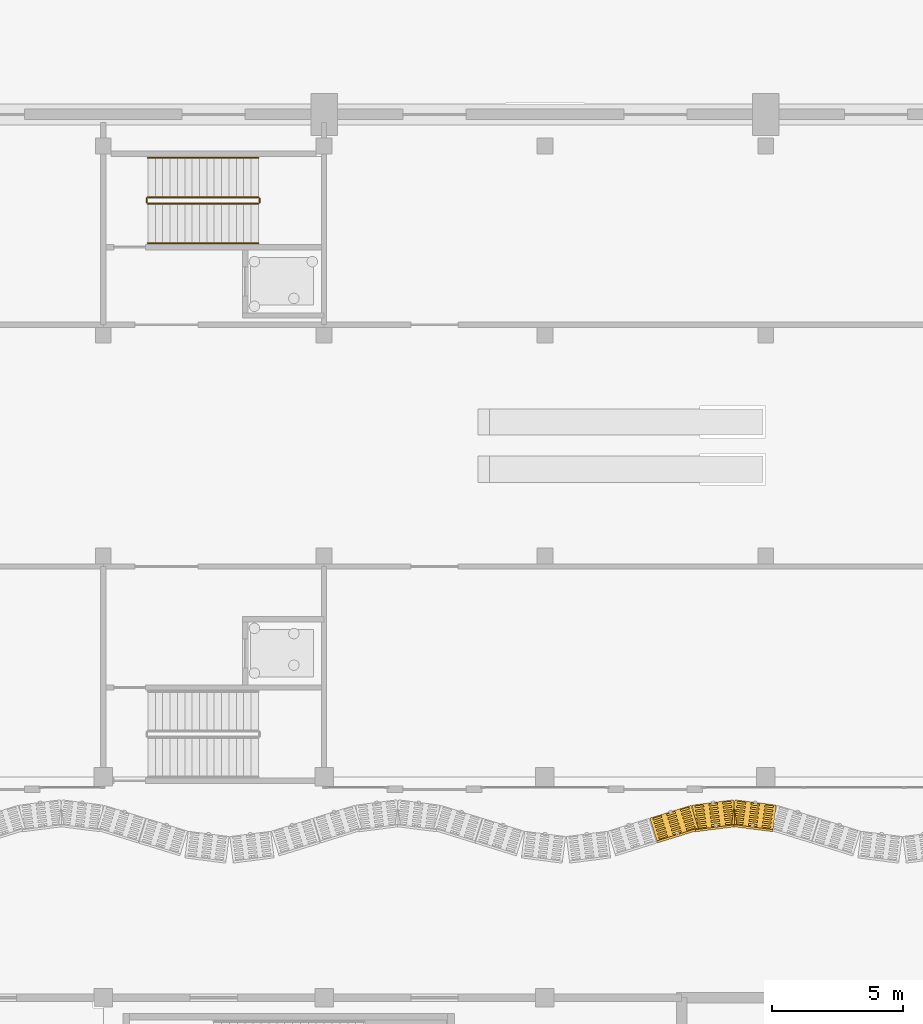
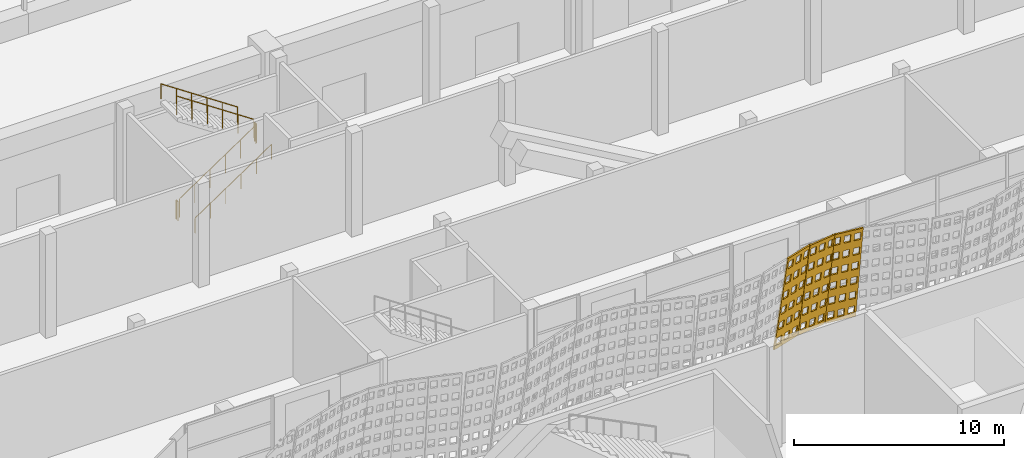
# One storey, part 191 of 210: 6 railings, 3 coverings.
"""IFC4 building model written with IfcOpenShell, lengths in metres."""

from ifc_helpers import new_model, si_unit, direction, frame, origin, origin_2d, place, context, subcontext, project, spatial, polyline, circle, outline, extrude, material, layer, layer_set, type_object, element, save


model = new_model("IFC4")

# Units and contexts
model_context = context("Model", 3, precision=1e-05, world=origin(), true_north=direction((0.0, 1.0)))
body_context = subcontext(model_context, "Body", "Model", "MODEL_VIEW")
ifc_project = project(units=[si_unit("LENGTHUNIT", "METRE"), si_unit("AREAUNIT", "SQUARE_METRE"), si_unit("VOLUMEUNIT", "CUBIC_METRE"), si_unit("PLANEANGLEUNIT", "RADIAN"), si_unit("MASSUNIT", "GRAM", prefix="KILO")], contexts=[model_context])

# Site, building, storey
site_placement = place(None, origin())
site = spatial("IfcSite", under=ifc_project, at=site_placement, CompositionType="ELEMENT")
building_placement = place(site_placement, origin())
building = spatial("IfcBuilding", under=site, at=building_placement, Name="Rain Tree Exposition and Congress Centre", CompositionType="ELEMENT")
storey_placement = place(building_placement, origin())
storey = spatial("IfcBuildingStorey", under=building, at=storey_placement, Name="L00", CompositionType="ELEMENT", Elevation=0.0)

# Railings
ifc_material_1 = material(Name="Aluminium and glass balustrade", Category="aluminium")
railing_type_1 = type_object("IfcRailingType", Name="Concourse guard 1100", PredefinedType="GUARDRAIL", material=ifc_material_1)
railing_1_placement = place(storey_placement, frame((169.699951171875, 97.39990234375, 0.1875)))
element("IfcRailing", 1, at=railing_1_placement, inside=storey, type_object=railing_type_1, Name="L00 ST-C11 stair guard 1", PredefinedType="GUARDRAIL", context=body_context, shape_type="SweptSolid", body=[
    extrude(circle(Radius=0.02392578125, at=origin_2d()), frame((0.0, 0.0, 1.076171875), z_axis=(0.830904186295, 0.0, 0.556415522067), x_axis=(0.0, 1.0, 0.0)), (0.0, 0.0, 1.0), 5.0546875),
    extrude(circle(Radius=0.02099609375, at=origin_2d()), origin(), (0.0, 0.0, 1.0), 1.052001953125),
    extrude(circle(Radius=0.02099609375, at=origin_2d()), frame((0.840087890625, 0.0, 0.5625)), (0.0, 0.0, 1.0), 1.052001953125),
    extrude(circle(Radius=0.02099609375, at=origin_2d()), frame((1.679931640625, 0.0, 1.125)), (0.0, 0.0, 1.0), 1.052001953125),
    extrude(circle(Radius=0.02099609375, at=origin_2d()), frame((2.52001953125, 0.0, 1.6875)), (0.0, 0.0, 1.0), 1.052001953125),
    extrude(circle(Radius=0.02099609375, at=origin_2d()), frame((3.35986328125, 0.0, 2.25)), (0.0, 0.0, 1.0), 1.052001953125),
    extrude(circle(Radius=0.02099609375, at=origin_2d()), frame((4.199951171875, 0.0, 2.8125)), (0.0, 0.0, 1.0), 1.052001953125),
])
railing_2_placement = place(storey_placement, frame((173.949951171875, 97.449951171875, 3.0)))
element("IfcRailing", 2, at=railing_2_placement, inside=storey, type_object=railing_type_1, Name="L00 ST-C11 stair guard 2", PredefinedType="GUARDRAIL", context=body_context, shape_type="SweptSolid", body=[
    extrude(circle(Radius=0.02392578125, at=origin_2d()), frame((0.0, 0.0, 1.076171875), z_axis=(0.0, 1.0, 0.0), x_axis=(-1.0, 0.0, 0.0)), (0.0, 0.0, 1.0), 0.150146484375),
    extrude(circle(Radius=0.02099609375, at=origin_2d()), origin(), (0.0, 0.0, 1.0), 1.052001953125),
    extrude(circle(Radius=0.02099609375, at=origin_2d()), frame((0.0, 0.150146484375, 0.0)), (0.0, 0.0, 1.0), 1.052001953125),
])
railing_3_placement = place(storey_placement, frame((173.89990234375, 97.64990234375, 3.1875)))
element("IfcRailing", 3, at=railing_3_placement, inside=storey, type_object=railing_type_1, Name="L00 ST-C11 stair guard 3", PredefinedType="GUARDRAIL", context=body_context, shape_type="SweptSolid", body=[
    extrude(circle(Radius=0.02392578125, at=origin_2d()), frame((0.0, 0.0, 1.076171875), z_axis=(-0.830904186295, 0.0, 0.556415522067), x_axis=(0.0, -1.0, 0.0)), (0.0, 0.0, 1.0), 5.0546875),
    extrude(circle(Radius=0.02099609375, at=origin_2d()), origin(), (0.0, 0.0, 1.0), 1.052001953125),
    extrude(circle(Radius=0.02099609375, at=origin_2d()), frame((-0.840087890625, 0.0, 0.5625)), (0.0, 0.0, 1.0), 1.052001953125),
    extrude(circle(Radius=0.02099609375, at=origin_2d()), frame((-1.679931640625, 0.0, 1.125)), (0.0, 0.0, 1.0), 1.052001953125),
    extrude(circle(Radius=0.02099609375, at=origin_2d()), frame((-2.52001953125, 0.0, 1.6875)), (0.0, 0.0, 1.0), 1.052001953125),
    extrude(circle(Radius=0.02099609375, at=origin_2d()), frame((-3.35986328125, 0.0, 2.25)), (0.0, 0.0, 1.0), 1.052001953125),
    extrude(circle(Radius=0.02099609375, at=origin_2d()), frame((-4.199951171875, 0.0, 2.8125)), (0.0, 0.0, 1.0), 1.052001953125),
])
railing_4_placement = place(storey_placement, frame((169.64990234375, 97.449951171875, 0.0)))
element("IfcRailing", 4, at=railing_4_placement, inside=storey, type_object=railing_type_1, Name="L00 ST-C11 stair guard 4", PredefinedType="GUARDRAIL", context=body_context, shape_type="SweptSolid", body=[
    extrude(circle(Radius=0.02392578125, at=origin_2d()), frame((0.0, 0.0, 1.076171875), z_axis=(0.0, 1.0, 0.0), x_axis=(-1.0, 0.0, 0.0)), (0.0, 0.0, 1.0), 0.150146484375),
    extrude(circle(Radius=0.02099609375, at=origin_2d()), origin(), (0.0, 0.0, 1.0), 1.052001953125),
    extrude(circle(Radius=0.02099609375, at=origin_2d()), frame((0.0, 0.150146484375, 0.0)), (0.0, 0.0, 1.0), 1.052001953125),
])
ifc_material_2 = material(Name="Aluminium handrail", Category="aluminium")
railing_type_2 = type_object("IfcRailingType", Name="Concourse handrail 900", PredefinedType="HANDRAIL", material=ifc_material_2)
railing_5_placement = place(storey_placement, frame((169.699951171875, 95.89990234375, 0.1875)))
element("IfcRailing", 5, at=railing_5_placement, inside=storey, type_object=railing_type_2, Name="L00 ST-C11 stair handrail 1", PredefinedType="HANDRAIL", context=body_context, shape_type="SweptSolid", body=[
    extrude(circle(Radius=0.02392578125, at=origin_2d()), frame((0.0, 0.0, 0.8759765625), z_axis=(0.830904186295, 0.0, 0.556415522067), x_axis=(0.0, 1.0, 0.0)), (0.0, 0.0, 1.0), 5.0546875),
    extrude(circle(Radius=0.02099609375, at=origin_2d()), origin(), (0.0, 0.0, 1.0), 0.851806640625),
    extrude(circle(Radius=0.02099609375, at=origin_2d()), frame((0.840087890625, 0.0, 0.5625)), (0.0, 0.0, 1.0), 0.851806640625),
    extrude(circle(Radius=0.02099609375, at=origin_2d()), frame((1.679931640625, 0.0, 1.125)), (0.0, 0.0, 1.0), 0.851806640625),
    extrude(circle(Radius=0.02099609375, at=origin_2d()), frame((2.52001953125, 0.0, 1.6875)), (0.0, 0.0, 1.0), 0.851806640625),
    extrude(circle(Radius=0.02099609375, at=origin_2d()), frame((3.35986328125, 0.0, 2.25)), (0.0, 0.0, 1.0), 0.851806640625),
    extrude(circle(Radius=0.02099609375, at=origin_2d()), frame((4.199951171875, 0.0, 2.8125)), (0.0, 0.0, 1.0), 0.851806640625),
])
railing_6_placement = place(storey_placement, frame((173.89990234375, 99.14990234375, 3.1875)))
element("IfcRailing", 6, at=railing_6_placement, inside=storey, type_object=railing_type_2, Name="L00 ST-C11 stair handrail 2", PredefinedType="HANDRAIL", context=body_context, shape_type="SweptSolid", body=[
    extrude(circle(Radius=0.02392578125, at=origin_2d()), frame((0.0, 0.0, 0.8759765625), z_axis=(-0.830904186295, 0.0, 0.556415522067), x_axis=(0.0, -1.0, 0.0)), (0.0, 0.0, 1.0), 5.0546875),
    extrude(circle(Radius=0.02099609375, at=origin_2d()), origin(), (0.0, 0.0, 1.0), 0.851806640625),
    extrude(circle(Radius=0.02099609375, at=origin_2d()), frame((-0.840087890625, 0.0, 0.5625)), (0.0, 0.0, 1.0), 0.851806640625),
    extrude(circle(Radius=0.02099609375, at=origin_2d()), frame((-1.679931640625, 0.0, 1.125)), (0.0, 0.0, 1.0), 0.851806640625),
    extrude(circle(Radius=0.02099609375, at=origin_2d()), frame((-2.52001953125, 0.0, 1.6875)), (0.0, 0.0, 1.0), 0.851806640625),
    extrude(circle(Radius=0.02099609375, at=origin_2d()), frame((-3.35986328125, 0.0, 2.25)), (0.0, 0.0, 1.0), 0.851806640625),
    extrude(circle(Radius=0.02099609375, at=origin_2d()), frame((-4.199951171875, 0.0, 2.8125)), (0.0, 0.0, 1.0), 0.851806640625),
])

# Coverings
ifc_material_3 = material(Name="Perforated terracotta", Category="masonry")
ifc_layer = layer(ifc_material_3, 0.080078125)
ifc_layer_set = layer_set([ifc_layer], Name="Perforated terracotta")
covering_type = type_object("IfcCoveringType", Name="Terracotta screen 80", PredefinedType="CLADDING", material=ifc_layer_set)
covering_1_placement = place(storey_placement, frame((188.800048828125, 73.949951171875, 0.0), z_axis=(-0.293072736571, 0.943327870838, 0.155694891303), x_axis=(-0.954973588716, -0.296690823679, 0.0)))
element("IfcCovering", 7, at=covering_1_placement, inside=storey, type_object=covering_type, Name="concourse/screen/L00/119", PredefinedType="CLADDING", context=body_context, shape_type="SweptSolid", body=[
    extrude(outline(polyline([(-0.014892578125, 0.0), (-1.659912109375, 0.0), (-1.659912109375, 5.80859375), (-0.014892578125, 5.80859375), (-0.014892578125, 0.0)]), holes=[polyline([(-0.119140625, 0.249755859375), (-0.119140625, 0.71826171875), (-0.458984375, 0.71826171875), (-0.458984375, 0.249755859375), (-0.119140625, 0.249755859375)]), polyline([(-0.119140625, 1.218017578125), (-0.119140625, 1.686279296875), (-0.458984375, 1.686279296875), (-0.458984375, 1.218017578125), (-0.119140625, 1.218017578125)]), polyline([(-0.119140625, 2.18603515625), (-0.119140625, 2.654541015625), (-0.458984375, 2.654541015625), (-0.458984375, 2.18603515625), (-0.119140625, 2.18603515625)]), polyline([(-0.119140625, 3.154052734375), (-0.119140625, 3.62255859375), (-0.458984375, 3.62255859375), (-0.458984375, 3.154052734375), (-0.119140625, 3.154052734375)]), polyline([(-0.119140625, 4.122314453125), (-0.119140625, 4.5908203125), (-0.458984375, 4.5908203125), (-0.458984375, 4.122314453125), (-0.119140625, 4.122314453125)]), polyline([(-0.119140625, 5.09033203125), (-0.119140625, 5.558837890625), (-0.458984375, 5.558837890625), (-0.458984375, 5.09033203125), (-0.119140625, 5.09033203125)]), polyline([(-0.66748046875, 0.249755859375), (-0.66748046875, 0.71826171875), (-1.00732421875, 0.71826171875), (-1.00732421875, 0.249755859375), (-0.66748046875, 0.249755859375)]), polyline([(-0.66748046875, 1.218017578125), (-0.66748046875, 1.686279296875), (-1.00732421875, 1.686279296875), (-1.00732421875, 1.218017578125), (-0.66748046875, 1.218017578125)]), polyline([(-0.66748046875, 2.18603515625), (-0.66748046875, 2.654541015625), (-1.00732421875, 2.654541015625), (-1.00732421875, 2.18603515625), (-0.66748046875, 2.18603515625)]), polyline([(-0.66748046875, 3.154052734375), (-0.66748046875, 3.62255859375), (-1.00732421875, 3.62255859375), (-1.00732421875, 3.154052734375), (-0.66748046875, 3.154052734375)]), polyline([(-0.66748046875, 4.122314453125), (-0.66748046875, 4.5908203125), (-1.00732421875, 4.5908203125), (-1.00732421875, 4.122314453125), (-0.66748046875, 4.122314453125)]), polyline([(-0.66748046875, 5.09033203125), (-0.66748046875, 5.558837890625), (-1.00732421875, 5.558837890625), (-1.00732421875, 5.09033203125), (-0.66748046875, 5.09033203125)]), polyline([(-1.2158203125, 0.249755859375), (-1.2158203125, 0.71826171875), (-1.5556640625, 0.71826171875), (-1.5556640625, 0.249755859375), (-1.2158203125, 0.249755859375)]), polyline([(-1.2158203125, 1.218017578125), (-1.2158203125, 1.686279296875), (-1.5556640625, 1.686279296875), (-1.5556640625, 1.218017578125), (-1.2158203125, 1.218017578125)]), polyline([(-1.2158203125, 2.18603515625), (-1.2158203125, 2.654541015625), (-1.5556640625, 2.654541015625), (-1.5556640625, 2.18603515625), (-1.2158203125, 2.18603515625)]), polyline([(-1.2158203125, 3.154052734375), (-1.2158203125, 3.62255859375), (-1.5556640625, 3.62255859375), (-1.5556640625, 3.154052734375), (-1.2158203125, 3.154052734375)]), polyline([(-1.2158203125, 4.122314453125), (-1.2158203125, 4.5908203125), (-1.5556640625, 4.5908203125), (-1.5556640625, 4.122314453125), (-1.2158203125, 4.122314453125)]), polyline([(-1.2158203125, 5.09033203125), (-1.2158203125, 5.558837890625), (-1.5556640625, 5.558837890625), (-1.5556640625, 5.09033203125), (-1.2158203125, 5.09033203125)])]), origin(), (0.0, 0.0, 1.0), 0.080078125),
])
covering_2_placement = place(storey_placement, frame((190.39990234375, 74.445068359375, 0.0), z_axis=(-0.125405134464, 0.978771781185, 0.162109076259), x_axis=(-0.991891686382, -0.127086122318, 0.0)))
element("IfcCovering", 8, at=covering_2_placement, inside=storey, type_object=covering_type, Name="concourse/screen/L00/120", PredefinedType="CLADDING", context=body_context, shape_type="SweptSolid", body=[
    extrude(outline(polyline([(-0.014892578125, 0.0), (-1.59814453125, 0.0), (-1.59814453125, 5.813720703125), (-0.014892578125, 5.813720703125), (-0.014892578125, 0.0)]), holes=[polyline([(-0.115234375, 0.25), (-0.115234375, 0.718994140625), (-0.4423828125, 0.718994140625), (-0.4423828125, 0.25), (-0.115234375, 0.25)]), polyline([(-0.115234375, 1.218994140625), (-0.115234375, 1.687744140625), (-0.4423828125, 1.687744140625), (-0.4423828125, 1.218994140625), (-0.115234375, 1.218994140625)]), polyline([(-0.115234375, 2.18798828125), (-0.115234375, 2.65673828125), (-0.4423828125, 2.65673828125), (-0.4423828125, 2.18798828125), (-0.115234375, 2.18798828125)]), polyline([(-0.115234375, 3.156982421875), (-0.115234375, 3.625732421875), (-0.4423828125, 3.625732421875), (-0.4423828125, 3.156982421875), (-0.115234375, 3.156982421875)]), polyline([(-0.115234375, 4.125732421875), (-0.115234375, 4.594482421875), (-0.4423828125, 4.594482421875), (-0.4423828125, 4.125732421875), (-0.115234375, 4.125732421875)]), polyline([(-0.115234375, 5.0947265625), (-0.115234375, 5.563720703125), (-0.4423828125, 5.563720703125), (-0.4423828125, 5.0947265625), (-0.115234375, 5.0947265625)]), polyline([(-0.64306640625, 0.25), (-0.64306640625, 0.718994140625), (-0.97021484375, 0.718994140625), (-0.97021484375, 0.25), (-0.64306640625, 0.25)]), polyline([(-0.64306640625, 1.218994140625), (-0.64306640625, 1.687744140625), (-0.97021484375, 1.687744140625), (-0.97021484375, 1.218994140625), (-0.64306640625, 1.218994140625)]), polyline([(-0.64306640625, 2.18798828125), (-0.64306640625, 2.65673828125), (-0.97021484375, 2.65673828125), (-0.97021484375, 2.18798828125), (-0.64306640625, 2.18798828125)]), polyline([(-0.64306640625, 3.156982421875), (-0.64306640625, 3.625732421875), (-0.97021484375, 3.625732421875), (-0.97021484375, 3.156982421875), (-0.64306640625, 3.156982421875)]), polyline([(-0.64306640625, 4.125732421875), (-0.64306640625, 4.594482421875), (-0.97021484375, 4.594482421875), (-0.97021484375, 4.125732421875), (-0.64306640625, 4.125732421875)]), polyline([(-0.64306640625, 5.0947265625), (-0.64306640625, 5.563720703125), (-0.97021484375, 5.563720703125), (-0.97021484375, 5.0947265625), (-0.64306640625, 5.0947265625)]), polyline([(-1.170654296875, 0.25), (-1.170654296875, 0.718994140625), (-1.497802734375, 0.718994140625), (-1.497802734375, 0.25), (-1.170654296875, 0.25)]), polyline([(-1.170654296875, 1.218994140625), (-1.170654296875, 1.687744140625), (-1.497802734375, 1.687744140625), (-1.497802734375, 1.218994140625), (-1.170654296875, 1.218994140625)]), polyline([(-1.170654296875, 2.18798828125), (-1.170654296875, 2.65673828125), (-1.497802734375, 2.65673828125), (-1.497802734375, 2.18798828125), (-1.170654296875, 2.18798828125)]), polyline([(-1.170654296875, 3.156982421875), (-1.170654296875, 3.625732421875), (-1.497802734375, 3.625732421875), (-1.497802734375, 3.156982421875), (-1.170654296875, 3.156982421875)]), polyline([(-1.170654296875, 4.125732421875), (-1.170654296875, 4.594482421875), (-1.497802734375, 4.594482421875), (-1.497802734375, 4.125732421875), (-1.170654296875, 4.125732421875)]), polyline([(-1.170654296875, 5.0947265625), (-1.170654296875, 5.563720703125), (-1.497802734375, 5.563720703125), (-1.497802734375, 5.0947265625), (-1.170654296875, 5.0947265625)])]), origin(), (0.0, 0.0, 1.0), 0.079833984375),
])
covering_3_placement = place(storey_placement, frame((192.0, 74.64990234375, 0.0), z_axis=(0.125030801275, 0.978899688033, 0.161625182136), x_axis=(-0.991941518713, 0.126696580272, 0.0)))
element("IfcCovering", 9, at=covering_3_placement, inside=storey, type_object=covering_type, Name="concourse/screen/L00/121", PredefinedType="CLADDING", context=body_context, shape_type="SweptSolid", body=[
    extrude(outline(polyline([(-0.014892578125, 0.0), (-1.59814453125, 0.0), (-1.59814453125, 5.813720703125), (-0.014892578125, 5.813720703125), (-0.014892578125, 0.0)]), holes=[polyline([(-0.115234375, 0.25), (-0.115234375, 0.718994140625), (-0.4423828125, 0.718994140625), (-0.4423828125, 0.25), (-0.115234375, 0.25)]), polyline([(-0.115234375, 1.218994140625), (-0.115234375, 1.687744140625), (-0.4423828125, 1.687744140625), (-0.4423828125, 1.218994140625), (-0.115234375, 1.218994140625)]), polyline([(-0.115234375, 2.18798828125), (-0.115234375, 2.65673828125), (-0.4423828125, 2.65673828125), (-0.4423828125, 2.18798828125), (-0.115234375, 2.18798828125)]), polyline([(-0.115234375, 3.156982421875), (-0.115234375, 3.625732421875), (-0.4423828125, 3.625732421875), (-0.4423828125, 3.156982421875), (-0.115234375, 3.156982421875)]), polyline([(-0.115234375, 4.125732421875), (-0.115234375, 4.594482421875), (-0.4423828125, 4.594482421875), (-0.4423828125, 4.125732421875), (-0.115234375, 4.125732421875)]), polyline([(-0.115234375, 5.0947265625), (-0.115234375, 5.563720703125), (-0.4423828125, 5.563720703125), (-0.4423828125, 5.0947265625), (-0.115234375, 5.0947265625)]), polyline([(-0.64306640625, 0.25), (-0.64306640625, 0.718994140625), (-0.97021484375, 0.718994140625), (-0.97021484375, 0.25), (-0.64306640625, 0.25)]), polyline([(-0.64306640625, 1.218994140625), (-0.64306640625, 1.687744140625), (-0.97021484375, 1.687744140625), (-0.97021484375, 1.218994140625), (-0.64306640625, 1.218994140625)]), polyline([(-0.64306640625, 2.18798828125), (-0.64306640625, 2.65673828125), (-0.97021484375, 2.65673828125), (-0.97021484375, 2.18798828125), (-0.64306640625, 2.18798828125)]), polyline([(-0.64306640625, 3.156982421875), (-0.64306640625, 3.625732421875), (-0.97021484375, 3.625732421875), (-0.97021484375, 3.156982421875), (-0.64306640625, 3.156982421875)]), polyline([(-0.64306640625, 4.125732421875), (-0.64306640625, 4.594482421875), (-0.97021484375, 4.594482421875), (-0.97021484375, 4.125732421875), (-0.64306640625, 4.125732421875)]), polyline([(-0.64306640625, 5.0947265625), (-0.64306640625, 5.563720703125), (-0.97021484375, 5.563720703125), (-0.97021484375, 5.0947265625), (-0.64306640625, 5.0947265625)]), polyline([(-1.170654296875, 0.25), (-1.170654296875, 0.718994140625), (-1.497802734375, 0.718994140625), (-1.497802734375, 0.25), (-1.170654296875, 0.25)]), polyline([(-1.170654296875, 1.218994140625), (-1.170654296875, 1.687744140625), (-1.497802734375, 1.687744140625), (-1.497802734375, 1.218994140625), (-1.170654296875, 1.218994140625)]), polyline([(-1.170654296875, 2.18798828125), (-1.170654296875, 2.65673828125), (-1.497802734375, 2.65673828125), (-1.497802734375, 2.18798828125), (-1.170654296875, 2.18798828125)]), polyline([(-1.170654296875, 3.156982421875), (-1.170654296875, 3.625732421875), (-1.497802734375, 3.625732421875), (-1.497802734375, 3.156982421875), (-1.170654296875, 3.156982421875)]), polyline([(-1.170654296875, 4.125732421875), (-1.170654296875, 4.594482421875), (-1.497802734375, 4.594482421875), (-1.497802734375, 4.125732421875), (-1.170654296875, 4.125732421875)]), polyline([(-1.170654296875, 5.0947265625), (-1.170654296875, 5.563720703125), (-1.497802734375, 5.563720703125), (-1.497802734375, 5.0947265625), (-1.170654296875, 5.0947265625)])]), origin(), (0.0, 0.0, 1.0), 0.080078125),
])

save(model, "model.ifc")
